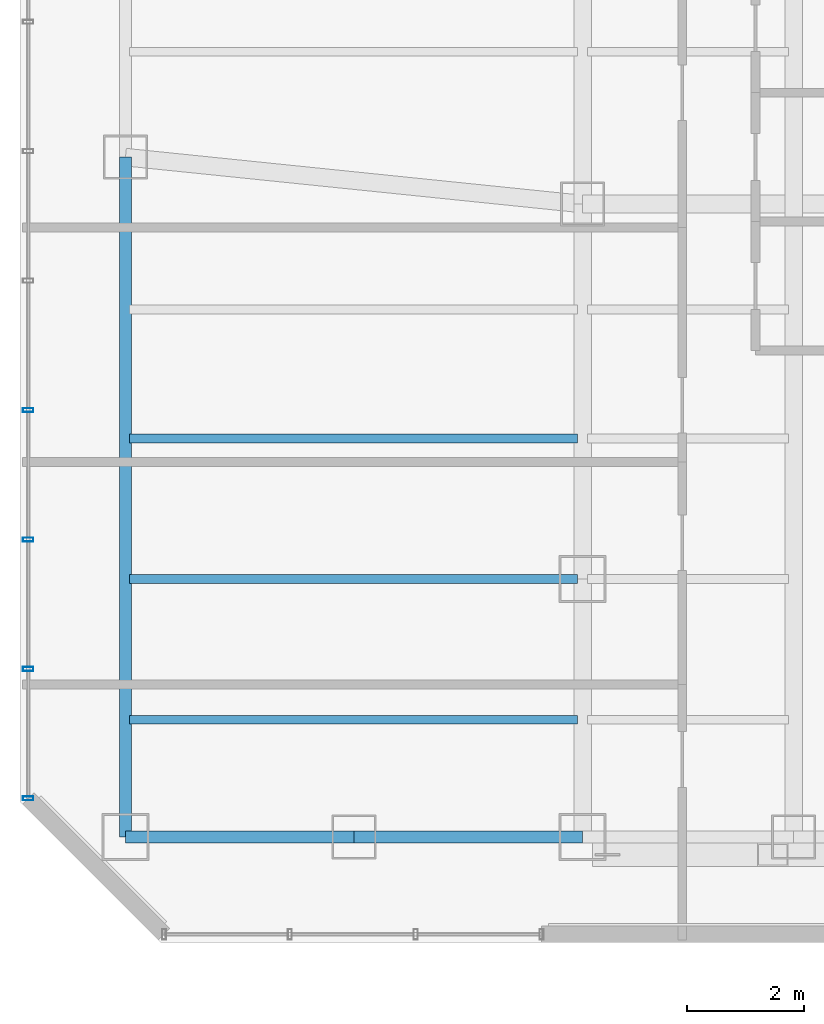
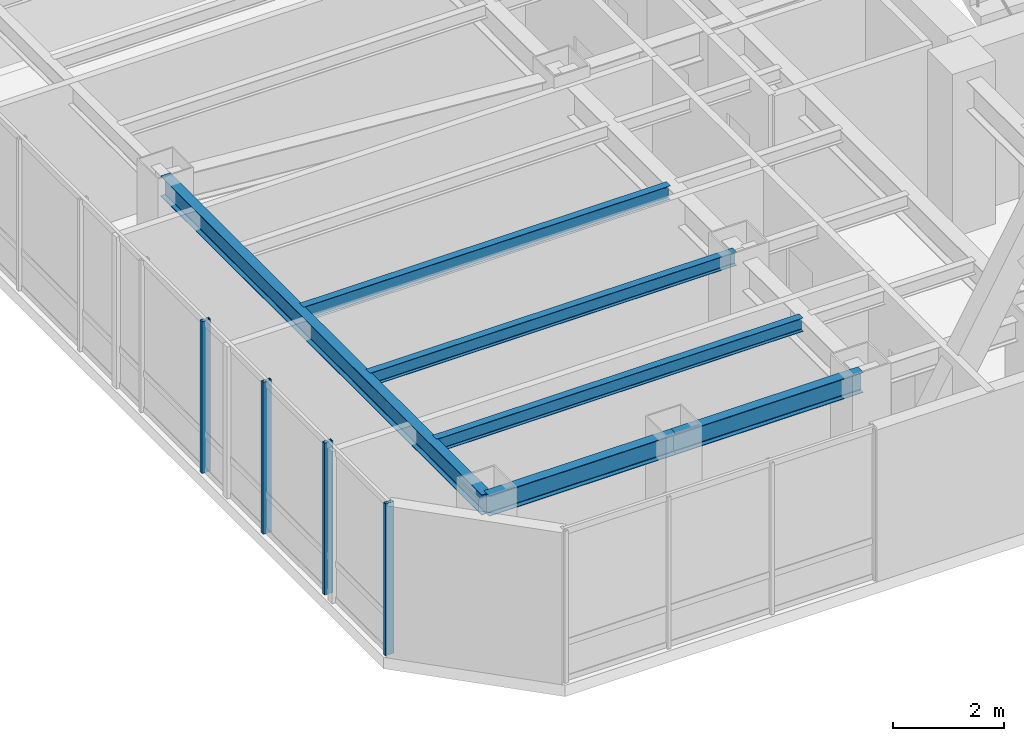
# One storey, part 4 of 27: 6 beams, 4 members, 1 element without a shape of its own.
"""IFC4 building model written with IfcOpenShell, lengths in metres."""

from ifc_helpers import new_model, si_unit, direction, frame, origin, origin_2d, place, context, subcontext, project, spatial, hollow_rectangle, i_section, extrude, material, layer, layer_set, material_profile, profile_set, type_object, element, aggregate, save


model = new_model("IFC4")

# Units and contexts
model_context = context("Model", 3, precision=1e-05, world=origin(), true_north=direction((0.0, 1.0)))
body_context = subcontext(model_context, "Body", "Model", "MODEL_VIEW")
ifc_project = project(units=[si_unit("LENGTHUNIT", "METRE"), si_unit("AREAUNIT", "SQUARE_METRE"), si_unit("VOLUMEUNIT", "CUBIC_METRE"), si_unit("PLANEANGLEUNIT", "RADIAN"), si_unit("MASSUNIT", "GRAM", prefix="KILO")], contexts=[model_context])

# Site, building, storey
site_placement = place(None, origin())
site = spatial("IfcSite", under=ifc_project, at=site_placement, CompositionType="ELEMENT")
building_placement = place(site_placement, origin())
building = spatial("IfcBuilding", under=site, at=building_placement, Name="Hatsunagi Terrace Concourse", CompositionType="ELEMENT")
storey_placement = place(building_placement, frame((0.0, 0.0, 167.25)))
storey = spatial("IfcBuildingStorey", under=building, at=storey_placement, Name="L44", CompositionType="ELEMENT", Elevation=167.25)

# Curtain wall, members
ifc_material_1 = material(Name="Anodised Aluminium Alloy 6063-T5", Category="aluminium")
ifc_layer = layer(ifc_material_1, 0.199951171875)
ifc_layer_set = layer_set([ifc_layer], Name="OfficeZone1_CW03")
curtain_wall_type = type_object("IfcCurtainWallType", Name="OfficeZone1_CW03", PredefinedType="NOTDEFINED", material=ifc_layer_set)
curtain_wall_placement = place(storey_placement, origin())
curtain_wall = element("IfcCurtainWall", 1, at=curtain_wall_placement, inside=storey, type_object=curtain_wall_type, Name="Unitised Curtain Wall CW-03 CW-L44-09", PredefinedType="NOTDEFINED")
ifc_material_2 = material(Name="Anodised Aluminium Alloy 6063-T5", Category="aluminium")
ifc_material_profile_1 = material_profile(ifc_material_2, hollow_rectangle(XDim=0.070068359375, YDim=0.179931640625, WallThickness=0.00390625, at=origin_2d()), Name="ALU-MUL-180x70x4")
ifc_profile_set_1 = profile_set([ifc_material_profile_1], Name="Anodised Aluminium Alloy 6063-T5")
member_type = type_object("IfcMemberType", Name="CurtainWallMullion_180x70", PredefinedType="MULLION", material=ifc_profile_set_1)
member_1_placement = place(storey_placement, frame((9.739990234375, 25.85791015625, 0.0), z_axis=(0.0, 0.0, 1.0), x_axis=(0.0, 1.0, 0.0)))
member_1 = element("IfcMember", 2, at=member_1_placement, type_object=member_type, Name="Curtain Wall Mullion MUL-02", PredefinedType="MULLION", context=body_context, shape_type="SweptSolid", body=[
    extrude(hollow_rectangle(XDim=0.070068359375, YDim=0.179931640625, WallThickness=0.00390625, at=origin_2d()), origin(), (0.0, 0.0, 1.0), 3.35009765625),
])
member_2_placement = place(storey_placement, frame((9.739990234375, 28.06591796875, 0.0), z_axis=(0.0, 0.0, 1.0), x_axis=(0.0, 1.0, 0.0)))
member_2 = element("IfcMember", 3, at=member_2_placement, type_object=member_type, Name="Curtain Wall Mullion MUL-02", PredefinedType="MULLION", context=body_context, shape_type="SweptSolid", body=[
    extrude(hollow_rectangle(XDim=0.070068359375, YDim=0.179931640625, WallThickness=0.00390625, at=origin_2d()), origin(), (0.0, 0.0, 1.0), 3.35009765625),
])
member_3_placement = place(storey_placement, frame((9.739990234375, 30.27490234375, 0.0), z_axis=(0.0, 0.0, 1.0), x_axis=(0.0, 1.0, 0.0)))
member_3 = element("IfcMember", 4, at=member_3_placement, type_object=member_type, Name="Curtain Wall Mullion MUL-02", PredefinedType="MULLION", context=body_context, shape_type="SweptSolid", body=[
    extrude(hollow_rectangle(XDim=0.070068359375, YDim=0.179931640625, WallThickness=0.00390625, at=origin_2d()), origin(), (0.0, 0.0, 1.0), 3.35009765625),
])
member_4_placement = place(storey_placement, frame((9.739990234375, 32.48291015625, 0.0), z_axis=(0.0, 0.0, 1.0), x_axis=(0.0, 1.0, 0.0)))
member_4 = element("IfcMember", 5, at=member_4_placement, type_object=member_type, Name="Curtain Wall Mullion MUL-02", PredefinedType="MULLION", context=body_context, shape_type="SweptSolid", body=[
    extrude(hollow_rectangle(XDim=0.070068359375, YDim=0.179931640625, WallThickness=0.00390625, at=origin_2d()), origin(), (0.0, 0.0, 1.0), 3.35009765625),
])
aggregate(curtain_wall, [member_1, member_2, member_3, member_4])

# Beams
ifc_material_3 = material(Name="Steel SN490B", Category="steel")
ifc_material_profile_2 = material_profile(ifc_material_3, i_section(OverallWidth=0.14990234375, OverallDepth=0.300048828125, WebThickness=0.006591796875, FlangeThickness=0.009033203125, FilletRadius=0.010986328125, at=origin_2d()), Name="H-300x150x6.5x9")
ifc_profile_set_2 = profile_set([ifc_material_profile_2], Name="Steel SN490B")
beam_type_1 = type_object("IfcBeamType", Name="OfficeJoist_H_300x150", PredefinedType="JOIST", material=ifc_profile_set_2)
for number, where, z_axis, x_axis, name in (
    (6, (11.465087890625, 27.199951171875, 3.199951171875), (1.0, 0.0, 0.0), (0.0, 1.0, 0.0), "Beam J-03 J-L44-W-11-272"),
    (7, (11.465087890625, 29.60009765625, 3.199951171875), (1.0, 0.0, 0.0), (0.0, 1.0, 0.0), "Beam J-03 J-L44-W-11-296"),
    (8, (11.465087890625, 32.0, 3.199951171875), (1.0, 0.0, 0.0), (0.0, 1.0, 0.0), "Beam J-03 J-L44-W-11-320"),
):
    element("IfcBeam", number, at=place(storey_placement, frame(where, z_axis=z_axis, x_axis=x_axis)), inside=storey, type_object=beam_type_1, Name=name, PredefinedType="JOIST", context=body_context, shape_type="SweptSolid", body=[
        extrude(i_section(OverallWidth=0.14990234375, OverallDepth=0.300048828125, WebThickness=0.006591796875, FlangeThickness=0.009033203125, FilletRadius=0.010986328125, at=origin_2d()), origin(), (0.0, 0.0, 1.0), 7.64990234375),
    ])
ifc_material_4 = material(Name="Steel SN490B", Category="steel")
ifc_material_profile_3 = material_profile(ifc_material_4, i_section(OverallWidth=0.199951171875, OverallDepth=0.449951171875, WebThickness=0.009033203125, FlangeThickness=0.013916015625, FilletRadius=0.01611328125, at=origin_2d()), Name="H-450x200x9x14")
ifc_profile_set_3 = profile_set([ifc_material_profile_3], Name="Steel SN490B")
beam_type_2 = type_object("IfcBeamType", Name="PerimeterSpandrel_H_450x200", PredefinedType="SPANDREL", material=ifc_profile_set_3)
beam_1_placement = place(storey_placement, frame((11.39990234375, 25.199951171875, 3.125), z_axis=(1.0, 0.0, 0.0), x_axis=(0.0, 1.0, 0.0)))
element("IfcBeam", 9, at=beam_1_placement, inside=storey, type_object=beam_type_2, Name="Beam SP-02 BM-L44-WS-11", PredefinedType="SPANDREL", context=body_context, shape_type="SweptSolid", body=[
    extrude(i_section(OverallWidth=0.199951171875, OverallDepth=0.449951171875, WebThickness=0.009033203125, FlangeThickness=0.013916015625, FilletRadius=0.01611328125, at=origin_2d()), origin(), (0.0, 0.0, 1.0), 3.900146484375),
])
beam_2_placement = place(storey_placement, frame((15.300048828125, 25.199951171875, 3.125), z_axis=(1.0, 0.0, 0.0), x_axis=(0.0, 1.0, 0.0)))
element("IfcBeam", 10, at=beam_2_placement, inside=storey, type_object=beam_type_2, Name="Beam SP-02 BM-L44-WS-15", PredefinedType="SPANDREL", context=body_context, shape_type="SweptSolid", body=[
    extrude(i_section(OverallWidth=0.199951171875, OverallDepth=0.449951171875, WebThickness=0.009033203125, FlangeThickness=0.013916015625, FilletRadius=0.01611328125, at=origin_2d()), origin(), (0.0, 0.0, 1.0), 3.89990234375),
])
beam_3_placement = place(storey_placement, frame((11.39990234375, 25.199951171875, 3.125), z_axis=(0.0, 1.0, 0.0), x_axis=(-1.0, 0.0, 0.0)))
element("IfcBeam", 11, at=beam_3_placement, inside=storey, type_object=beam_type_2, Name="Beam SP-02 BM-L44-NS-11-25", PredefinedType="SPANDREL", context=body_context, shape_type="SweptSolid", body=[
    extrude(i_section(OverallWidth=0.199951171875, OverallDepth=0.449951171875, WebThickness=0.009033203125, FlangeThickness=0.013916015625, FilletRadius=0.01611328125, at=origin_2d()), origin(), (0.0, 0.0, 1.0), 11.60009765625),
])

save(model, "model.ifc")
